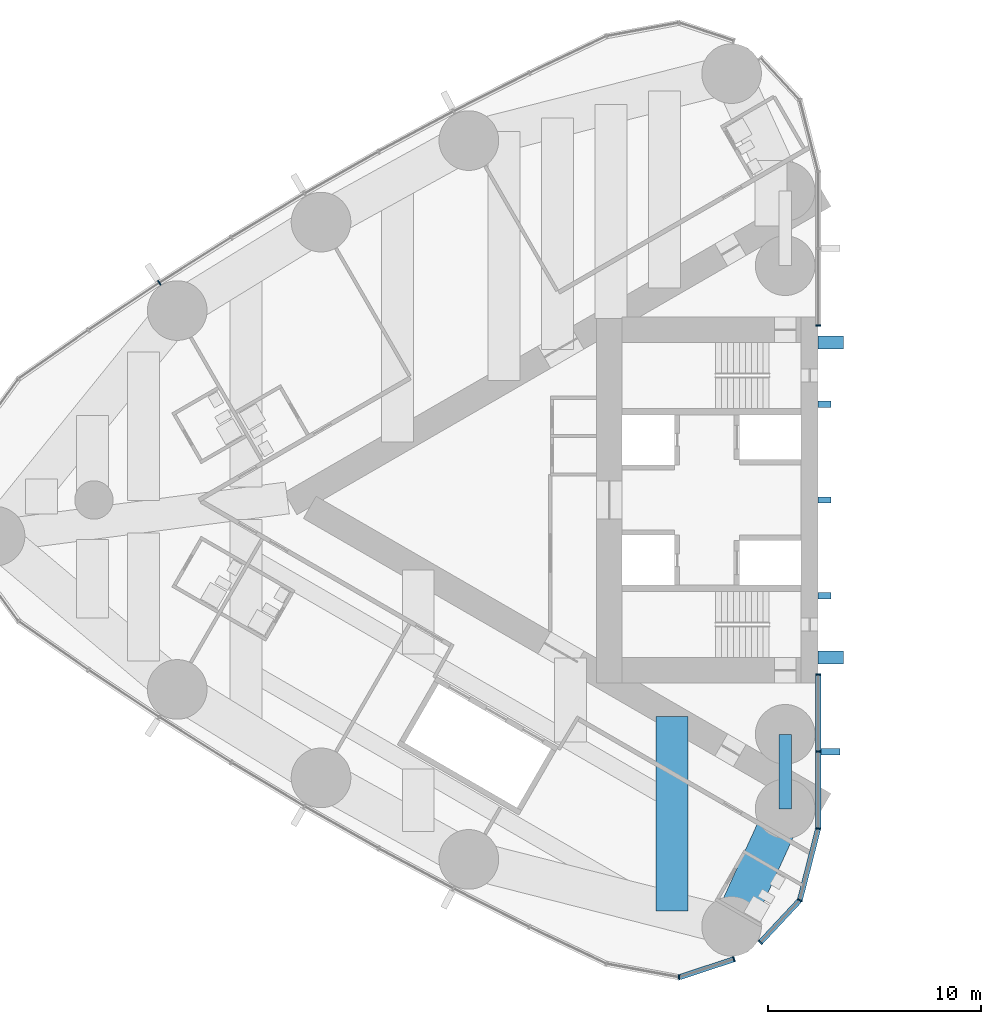
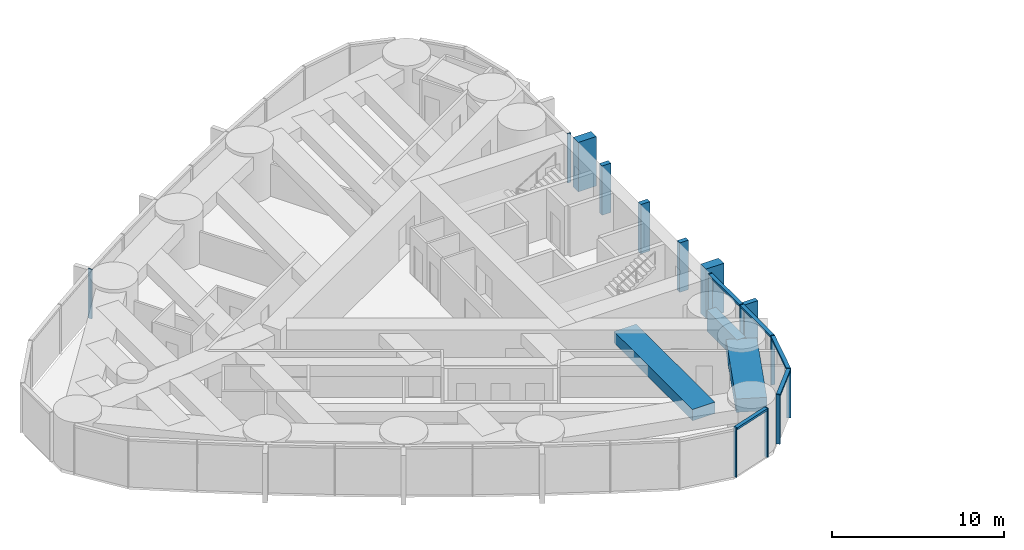
# One storey, part 4 of 19: 20 members, 3 beams, 4 elements without a shape of their own.
"""IFC4 building model written with IfcOpenShell, lengths in metres."""

from ifc_helpers import new_model, si_unit, direction, frame, origin, origin_2d, place, context, subcontext, project, spatial, rectangle, hollow_rectangle, extrude, material, material_profile, profile_set, type_object, element, aggregate, save


model = new_model("IFC4")

# Units and contexts
model_context = context("Model", 3, precision=1e-05, world=origin(), true_north=direction((0.0, 1.0)))
body_context = subcontext(model_context, "Body", "Model", "MODEL_VIEW")
ifc_project = project(units=[si_unit("LENGTHUNIT", "METRE"), si_unit("AREAUNIT", "SQUARE_METRE"), si_unit("VOLUMEUNIT", "CUBIC_METRE"), si_unit("PLANEANGLEUNIT", "RADIAN"), si_unit("MASSUNIT", "GRAM", prefix="KILO")], contexts=[model_context])

# Site, building, storey
site_placement = place(None, origin())
site = spatial("IfcSite", under=ifc_project, at=site_placement, CompositionType="ELEMENT")
building_placement = place(site_placement, origin())
building = spatial("IfcBuilding", under=site, at=building_placement, Name="Lancet Gate Hotel", CompositionType="ELEMENT")
storey_placement = place(building_placement, frame((0.0, 0.0, 163.300048828125)))
storey = spatial("IfcBuildingStorey", under=building, at=storey_placement, Name="L43", CompositionType="ELEMENT", Elevation=163.300048828125)

# Curtain wall, member
ifc_material_1 = material(Name="Aluminium curtain wall", Category="aluminium")
curtain_wall_type = type_object("IfcCurtainWallType", Name="Tower unitised curtain wall", PredefinedType="USERDEFINED", material=ifc_material_1)
curtain_wall_1_placement = place(storey_placement, origin())
curtain_wall_1 = element("IfcCurtainWall", 1, at=curtain_wall_1_placement, inside=storey, type_object=curtain_wall_type, Name="T1 L43 curtain wall 1", ObjectType="UNITISED CURTAIN WALL", PredefinedType="USERDEFINED")
ifc_material_2 = material(Name="Aluminium mullion", Category="aluminium")
ifc_material_profile_1 = material_profile(ifc_material_2, rectangle(XDim=0.06494140625, YDim=0.25, at=origin_2d()), Name="MULLION 65x250")
ifc_profile_set_1 = profile_set([ifc_material_profile_1], Name="Aluminium mullion")
member_type_1 = type_object("IfcMemberType", Name="Aluminium mullion 65x250", PredefinedType="MULLION", material=ifc_profile_set_1)
member_1_placement = place(storey_placement, frame((-27.5, 8.199951171875, 0.0), z_axis=(0.0, 0.0, 1.0), x_axis=(0.0, 1.0, 0.0)))
member_1 = element("IfcMember", 2, at=member_1_placement, type_object=member_type_1, Name="T1 L43 curtain wall 1 mullion 1", PredefinedType="MULLION", context=body_context, shape_type="SweptSolid", body=[
    extrude(rectangle(XDim=0.06494140625, YDim=0.25, at=origin_2d()), origin(), (0.0, 0.0, 1.0), 3.5),
])
aggregate(curtain_wall_1, [member_1])

curtain_wall_2_placement = place(storey_placement, origin())
curtain_wall_2 = element("IfcCurtainWall", 3, at=curtain_wall_2_placement, inside=storey, type_object=curtain_wall_type, Name="T1 L43 curtain wall 2", ObjectType="UNITISED CURTAIN WALL", PredefinedType="USERDEFINED")
member_2_placement = place(storey_placement, frame((-58.43212890625, 10.194091796875, 0.0), z_axis=(0.0, 0.0, 1.0), x_axis=(-0.839331119324, -0.54362052218, 0.0)))
member_2 = element("IfcMember", 4, at=member_2_placement, type_object=member_type_1, Name="T1 L43 curtain wall 2 mullion 9", PredefinedType="MULLION", context=body_context, shape_type="SweptSolid", body=[
    extrude(rectangle(XDim=0.06494140625, YDim=0.25, at=origin_2d()), origin(), (0.0, 0.0, 1.0), 3.5),
])
aggregate(curtain_wall_2, [member_2])

# Curtain wall, members
curtain_wall_3_placement = place(storey_placement, origin())
curtain_wall_3 = element("IfcCurtainWall", 5, at=curtain_wall_3_placement, inside=storey, type_object=curtain_wall_type, Name="T1 L43 curtain wall 3", ObjectType="UNITISED CURTAIN WALL", PredefinedType="USERDEFINED")
member_3_placement = place(storey_placement, frame((-34.02783203125, -22.407470703125, 0.0), z_axis=(0.0, 0.0, 1.0), x_axis=(0.999350473622, 0.036036521361, 0.0)))
member_3 = element("IfcMember", 6, at=member_3_placement, type_object=member_type_1, Name="T1 L43 curtain wall 3 mullion 11", PredefinedType="MULLION", context=body_context, shape_type="SweptSolid", body=[
    extrude(rectangle(XDim=0.06494140625, YDim=0.25, at=origin_2d()), origin(), (0.0, 0.0, 1.0), 3.5),
])
member_4_placement = place(storey_placement, frame((-31.45263671875, -21.5595703125, 0.0), z_axis=(0.0, 0.0, 1.0), x_axis=(0.949848055084, 0.312711803827, 0.0)))
member_4 = element("IfcMember", 7, at=member_4_placement, type_object=member_type_1, Name="T1 L43 curtain wall 3 mullion 12", PredefinedType="MULLION", context=body_context, shape_type="SweptSolid", body=[
    extrude(rectangle(XDim=0.06494140625, YDim=0.25, at=origin_2d()), origin(), (0.0, 0.0, 1.0), 3.5),
])

curtain_wall_4_placement = place(storey_placement, origin())
curtain_wall_4 = element("IfcCurtainWall", 8, at=curtain_wall_4_placement, inside=storey, type_object=curtain_wall_type, Name="T1 L43 curtain wall 4", ObjectType="UNITISED CURTAIN WALL", PredefinedType="USERDEFINED")
member_5_placement = place(storey_placement, frame((-30.210693359375, -20.765625, 0.0), z_axis=(0.0, 0.0, 1.0), x_axis=(0.682844962172, 0.730563315282, 0.0)))
member_5 = element("IfcMember", 9, at=member_5_placement, type_object=member_type_1, Name="T1 L43 curtain wall 4 mullion 1", PredefinedType="MULLION", context=body_context, shape_type="SweptSolid", body=[
    extrude(rectangle(XDim=0.06494140625, YDim=0.25, at=origin_2d()), origin(), (0.0, 0.0, 1.0), 3.5),
])
member_6_placement = place(storey_placement, frame((-28.360595703125, -18.7861328125, 0.0), z_axis=(0.0, 0.0, 1.0), x_axis=(0.452507601198, 0.891760545695, 0.0)))
member_6 = element("IfcMember", 10, at=member_6_placement, type_object=member_type_1, Name="T1 L43 curtain wall 4 mullion 2", PredefinedType="MULLION", context=body_context, shape_type="SweptSolid", body=[
    extrude(rectangle(XDim=0.06494140625, YDim=0.25, at=origin_2d()), origin(), (0.0, 0.0, 1.0), 3.5),
])
member_7_placement = place(storey_placement, frame((-27.5, -15.42333984375, 0.0), z_axis=(0.0, 0.0, 1.0), x_axis=(0.122467472845, 0.992472527627, 0.0)))
member_7 = element("IfcMember", 11, at=member_7_placement, type_object=member_type_1, Name="T1 L43 curtain wall 4 mullion 3", PredefinedType="MULLION", context=body_context, shape_type="SweptSolid", body=[
    extrude(rectangle(XDim=0.06494140625, YDim=0.25, at=origin_2d()), origin(), (0.0, 0.0, 1.0), 3.5),
])
member_8_placement = place(storey_placement, frame((-27.5, -11.811767578125, 0.0), z_axis=(0.0, 0.0, 1.0), x_axis=(0.0, 1.0, 0.0)))
member_8 = element("IfcMember", 12, at=member_8_placement, type_object=member_type_1, Name="T1 L43 curtain wall 4 mullion 4", PredefinedType="MULLION", context=body_context, shape_type="SweptSolid", body=[
    extrude(rectangle(XDim=0.06494140625, YDim=0.25, at=origin_2d()), origin(), (0.0, 0.0, 1.0), 3.5),
])
member_9_placement = place(storey_placement, frame((-27.5, -8.199951171875, 0.0), z_axis=(0.0, 0.0, 1.0), x_axis=(0.0, 1.0, 0.0)))
member_9 = element("IfcMember", 13, at=member_9_placement, type_object=member_type_1, Name="T1 L43 curtain wall 4 mullion 5", PredefinedType="MULLION", context=body_context, shape_type="SweptSolid", body=[
    extrude(rectangle(XDim=0.06494140625, YDim=0.25, at=origin_2d()), origin(), (0.0, 0.0, 1.0), 3.5),
])

# Member
ifc_material_3 = material(Name="Aluminium transom", Category="aluminium")
ifc_material_profile_2 = material_profile(ifc_material_3, rectangle(XDim=0.25, YDim=0.14990234375, at=origin_2d()), Name="TRANSOM 250x150")
ifc_profile_set_2 = profile_set([ifc_material_profile_2], Name="Aluminium transom")
member_type_2 = type_object("IfcMemberType", Name="Aluminium transom 250x150", PredefinedType="USERDEFINED", material=ifc_profile_set_2)
member_10_placement = place(storey_placement, frame((-33.9970703125, -22.397216796875, 3.425048828125), z_axis=(0.949857661259, 0.312682623993, 0.0), x_axis=(-0.312682623993, 0.949857661259, 0.0)))
member_10 = element("IfcMember", 14, at=member_10_placement, type_object=member_type_2, Name="T1 L43 curtain wall 3 transom 11", ObjectType="TRANSOM", PredefinedType="USERDEFINED", context=body_context, shape_type="SweptSolid", body=[
    extrude(rectangle(XDim=0.25, YDim=0.14990234375, at=origin_2d()), origin(), (0.0, 0.0, 1.0), 2.64599609375),
])

aggregate(curtain_wall_3, [member_3, member_4, member_10])

member_11_placement = place(storey_placement, frame((-30.188720703125, -20.741943359375, 3.425048828125), z_axis=(0.682841037959, 0.730566983157, 0.0), x_axis=(-0.730566983157, 0.682841037959, 0.0)))
member_11 = element("IfcMember", 15, at=member_11_placement, type_object=member_type_2, Name="T1 L43 curtain wall 4 transom 1", ObjectType="TRANSOM", PredefinedType="USERDEFINED", context=body_context, shape_type="SweptSolid", body=[
    extrude(rectangle(XDim=0.25, YDim=0.14990234375, at=origin_2d()), origin(), (0.0, 0.0, 1.0), 2.644775390625),
])

member_12_placement = place(storey_placement, frame((-28.3525390625, -18.754638671875, 3.425048828125), z_axis=(0.247928683912, 0.968778286139, 0.0), x_axis=(-0.968778286139, 0.247928683912, 0.0)))
member_12 = element("IfcMember", 16, at=member_12_placement, type_object=member_type_2, Name="T1 L43 curtain wall 4 transom 2", ObjectType="TRANSOM", PredefinedType="USERDEFINED", context=body_context, shape_type="SweptSolid", body=[
    extrude(rectangle(XDim=0.25, YDim=0.14990234375, at=origin_2d()), origin(), (0.0, 0.0, 1.0), 3.40625),
])

member_13_placement = place(storey_placement, frame((-27.5, -15.390869140625, 3.425048828125), z_axis=(0.0, 1.0, 0.0), x_axis=(-1.0, 0.0, 0.0)))
member_13 = element("IfcMember", 17, at=member_13_placement, type_object=member_type_2, Name="T1 L43 curtain wall 4 transom 3", ObjectType="TRANSOM", PredefinedType="USERDEFINED", context=body_context, shape_type="SweptSolid", body=[
    extrude(rectangle(XDim=0.25, YDim=0.14990234375, at=origin_2d()), origin(), (0.0, 0.0, 1.0), 3.546630859375),
])

member_14_placement = place(storey_placement, frame((-27.5, -11.779296875, 3.425048828125), z_axis=(0.0, 1.0, 0.0), x_axis=(-1.0, 0.0, 0.0)))
member_14 = element("IfcMember", 18, at=member_14_placement, type_object=member_type_2, Name="T1 L43 curtain wall 4 transom 4", ObjectType="TRANSOM", PredefinedType="USERDEFINED", context=body_context, shape_type="SweptSolid", body=[
    extrude(rectangle(XDim=0.25, YDim=0.14990234375, at=origin_2d()), origin(), (0.0, 0.0, 1.0), 3.546875),
])

# Beam
ifc_material_4 = material(Name="Concrete C50/60", Category="concrete")
ifc_material_profile_3 = material_profile(ifc_material_4, rectangle(XDim=1.800048828125, YDim=0.949951171875, at=origin_2d()), Name="RC 1800x950")
ifc_profile_set_3 = profile_set([ifc_material_profile_3], Name="Concrete C50/60")
beam_type_1 = type_object("IfcBeamType", Name="Edge beam RC 1800x950", PredefinedType="SPANDREL", material=ifc_profile_set_3)
beam_1_placement = place(storey_placement, frame((-29.050048828125, -14.5, 2.77490234375), z_axis=(-0.414919206993, -0.909858259109, 0.0), x_axis=(0.909858259109, -0.414919206993, 0.0)))
element("IfcBeam", 19, at=beam_1_placement, inside=storey, type_object=beam_type_1, Name="T1 edge beam EB1 L43", PredefinedType="SPANDREL", context=body_context, shape_type="SweptSolid", body=[
    extrude(rectangle(XDim=1.800048828125, YDim=0.949951171875, at=origin_2d()), origin(), (0.0, 0.0, 1.0), 6.062255859375),
])

# Members
ifc_material_5 = material(Name="Concrete C60/75", Category="concrete")
ifc_material_profile_4 = material_profile(ifc_material_5, rectangle(XDim=0.60009765625, YDim=1.199951171875, at=origin_2d()), Name="FIN 600x1200")
ifc_profile_set_4 = profile_set([ifc_material_profile_4], Name="Concrete C60/75")
member_type_3 = type_object("IfcMemberType", Name="Exposed concrete buttress pilaster 600x1200", PredefinedType="USERDEFINED", material=ifc_profile_set_4)
for number, where, z_axis, x_axis, name in (
    (20, (-26.909912109375, 7.39990234375, 0.0), (0.0, 0.0, 1.0), (0.0, 1.0, 0.0), "T1 buttress pilaster S L43"),
    (21, (-26.909912109375, -7.39990234375, 0.0), (0.0, 0.0, 1.0), (0.0, 1.0, 0.0), "T1 buttress pilaster N L43"),
):
    element("IfcMember", number, at=place(storey_placement, frame(where, z_axis=z_axis, x_axis=x_axis)), inside=storey, type_object=member_type_3, Name=name, ObjectType="FIN", PredefinedType="USERDEFINED", context=body_context, shape_type="SweptSolid", body=[
        extrude(rectangle(XDim=0.60009765625, YDim=1.199951171875, at=origin_2d()), origin(), (0.0, 0.0, 1.0), 3.5),
    ])

# Member
ifc_material_6 = material(Name="Precast concrete C50/60", Category="concrete")
ifc_material_profile_5 = material_profile(ifc_material_6, rectangle(XDim=0.300048828125, YDim=0.89990234375, at=origin_2d()), Name="FIN 300x900")
ifc_profile_set_5 = profile_set([ifc_material_profile_5], Name="Precast concrete C50/60")
member_type_4 = type_object("IfcMemberType", Name="Exposed concrete fin 300x900", PredefinedType="USERDEFINED", material=ifc_profile_set_5)
member_15_placement = place(storey_placement, frame((-26.925048828125, -11.811767578125, 0.0), z_axis=(0.0, 0.0, 1.0), x_axis=(0.0, 1.0, 0.0)))
member_15 = element("IfcMember", 22, at=member_15_placement, type_object=member_type_4, Name="T1 L43 curtain wall 4 fin 4", ObjectType="FIN", PredefinedType="USERDEFINED", context=body_context, shape_type="SweptSolid", body=[
    extrude(rectangle(XDim=0.300048828125, YDim=0.89990234375, at=origin_2d()), origin(), (0.0, 0.0, 1.0), 3.5),
])

aggregate(curtain_wall_4, [member_5, member_6, member_7, member_8, member_15, member_9, member_11, member_12, member_13, member_14])

# Members
ifc_material_7 = material(Name="Concrete C60/75", Category="concrete")
ifc_material_profile_6 = material_profile(ifc_material_7, rectangle(XDim=0.300048828125, YDim=0.60009765625, at=origin_2d()), Name="FIN 300x600")
ifc_profile_set_6 = profile_set([ifc_material_profile_6], Name="Concrete C60/75")
member_type_5 = type_object("IfcMemberType", Name="Exposed concrete rib 300x600", PredefinedType="USERDEFINED", material=ifc_profile_set_6)
for number, where, z_axis, x_axis, name in (
    (23, (-27.2099609375, 4.5, 0.0), (0.0, 0.0, 1.0), (0.0, 1.0, 0.0), "T1 core rib 1 L43"),
    (24, (-27.2099609375, 0.0, 0.0), (0.0, 0.0, 1.0), (0.0, 1.0, 0.0), "T1 core rib 2 L43"),
    (25, (-27.2099609375, -4.5, 0.0), (0.0, 0.0, 1.0), (0.0, 1.0, 0.0), "T1 core rib 3 L43"),
):
    element("IfcMember", number, at=place(storey_placement, frame(where, z_axis=z_axis, x_axis=x_axis)), inside=storey, type_object=member_type_5, Name=name, ObjectType="FIN", PredefinedType="USERDEFINED", context=body_context, shape_type="SweptSolid", body=[
        extrude(rectangle(XDim=0.300048828125, YDim=0.60009765625, at=origin_2d()), origin(), (0.0, 0.0, 1.0), 3.5),
    ])

# Beams
ifc_material_8 = material(Name="Concrete C50/60", Category="concrete")
ifc_material_profile_7 = material_profile(ifc_material_8, rectangle(XDim=1.5, YDim=0.800048828125, at=origin_2d()), Name="RC 1500x800")
ifc_profile_set_7 = profile_set([ifc_material_profile_7], Name="Concrete C50/60")
beam_type_2 = type_object("IfcBeamType", Name="Floor beam RC 1500x800", PredefinedType="BEAM", material=ifc_profile_set_7)
beam_2_placement = place(storey_placement, frame((-34.353515625, -10.169921875, 2.849853515625), z_axis=(0.0, -1.0, 0.0), x_axis=(1.0, 0.0, 0.0)))
element("IfcBeam", 26, at=beam_2_placement, inside=storey, type_object=beam_type_2, Name="T1 floor beam F02N L43", PredefinedType="BEAM", context=body_context, shape_type="SweptSolid", body=[
    extrude(rectangle(XDim=1.5, YDim=0.800048828125, at=origin_2d()), origin(), (0.0, 0.0, 1.0), 9.13525390625),
])
ifc_material_9 = material(Name="Steel S460QL", Category="steel")
ifc_material_profile_8 = material_profile(ifc_material_9, hollow_rectangle(XDim=0.60009765625, YDim=1.5, WallThickness=0.050048828125, at=origin_2d()), Name="BOX 1500x600x50")
ifc_profile_set_8 = profile_set([ifc_material_profile_8], Name="Steel S460QL")
beam_type_3 = type_object("IfcBeamType", Name="Inner-face link beam BOX 1500x600x50", PredefinedType="BEAM", material=ifc_profile_set_8)
beam_3_placement = place(storey_placement, frame((-29.050048828125, -11.0, 2.5), z_axis=(0.0, -1.0, 0.0), x_axis=(1.0, 0.0, 0.0)))
element("IfcBeam", 27, at=beam_3_placement, inside=storey, type_object=beam_type_3, Name="T1 inner-face link beam LK1 L43", PredefinedType="BEAM", context=body_context, shape_type="SweptSolid", body=[
    extrude(hollow_rectangle(XDim=0.60009765625, YDim=1.5, WallThickness=0.050048828125, at=origin_2d()), origin(), (0.0, 0.0, 1.0), 3.5),
])

save(model, "model.ifc")
